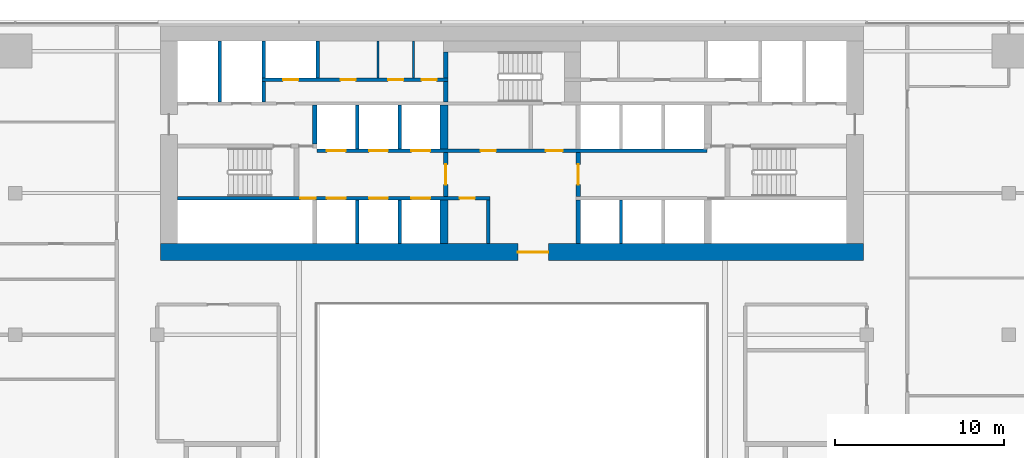
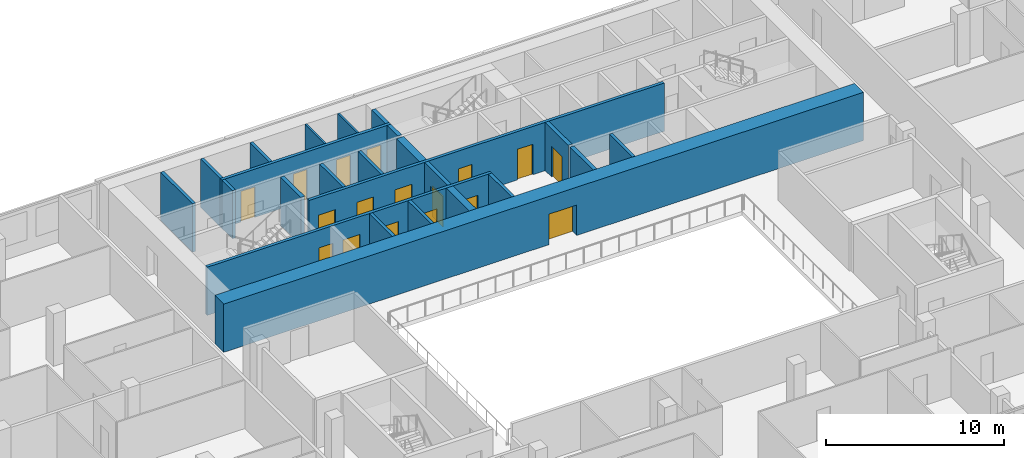
# One storey, part 21 of 29: 24 walls, 17 doors, 17 openings.
"""IFC4 building model written with IfcOpenShell, lengths in metres."""

from ifc_helpers import new_model, si_unit, direction, frame, frame_2d, origin, place, context, subcontext, project, spatial, rectangle, extrude, material, layer, layer_set, type_object, element, fill, save


model = new_model("IFC4")

# Units and contexts
model_context = context("Model", 3, precision=1e-05, world=origin(), true_north=direction((0.0, 1.0)))
body_context = subcontext(model_context, "Body", "Model", "MODEL_VIEW")
ifc_project = project(units=[si_unit("LENGTHUNIT", "METRE"), si_unit("AREAUNIT", "SQUARE_METRE"), si_unit("VOLUMEUNIT", "CUBIC_METRE"), si_unit("PLANEANGLEUNIT", "RADIAN"), si_unit("MASSUNIT", "GRAM", prefix="KILO")], contexts=[model_context])

# Site, building, storey
site_placement = place(None, origin())
site = spatial("IfcSite", under=ifc_project, at=site_placement, CompositionType="ELEMENT")
building_placement = place(site_placement, origin())
building = spatial("IfcBuilding", under=site, at=building_placement, Name="Saffron Gate Tower", CompositionType="ELEMENT")
storey_placement = place(building_placement, frame((0.0, 0.0, 113.25)))
storey = spatial("IfcBuildingStorey", under=building, at=storey_placement, Name="L26", CompositionType="ELEMENT", Elevation=113.25)

# Wall
ifc_material_1 = material(Name="Gypsum board partition on steel studs", Category="steel")
ifc_layer_1 = layer(ifc_material_1, 0.199951171875)
ifc_layer_set_1 = layer_set([ifc_layer_1], Name="CW10 Core partition 200")
wall_type_1 = type_object("IfcWallType", Name="CW10 Core partition 200", PredefinedType="PARTITIONING", material=ifc_layer_set_1)
wall_1_placement = place(storey_placement, frame((86.199951171875, 62.39990234375, 0.0), z_axis=(0.0, 0.0, 1.0), x_axis=(0.0, 1.0, 0.0)))
element("IfcWall", 1, at=wall_1_placement, inside=storey, type_object=wall_type_1, Name="Wall CW10-L26-9", PredefinedType="PARTITIONING", context=body_context, shape_type="SweptSolid", body=[
    extrude(rectangle(XDim=2.60009765625, YDim=0.199951171875, at=frame_2d((1.300048828125, 0.0))), origin(), (0.0, 0.0, 1.0), 3.320068359375),
])

# Wall, opening, door
ifc_material_2 = material(Name="Concrete C70", Category="concrete")
ifc_layer_2 = layer(ifc_material_2, 1.0)
ifc_layer_set_2 = layer_set([ifc_layer_2], Name="CW12 RC core wall 1000 C70")
wall_type_2 = type_object("IfcWallType", Name="CW12 RC core wall 1000 C70", PredefinedType="SOLIDWALL", material=ifc_layer_set_2)
wall_2_placement = place(storey_placement, frame((66.800048828125, 61.89990234375, 0.0), z_axis=(0.0, 0.0, 1.0), x_axis=(1.0, 0.0, 0.0)))
wall_2 = element("IfcWall", 2, at=wall_2_placement, inside=storey, type_object=wall_type_2, Name="Wall CW12-L26-1", PredefinedType="SOLIDWALL", context=body_context, shape_type="SweptSolid", body=[
    extrude(rectangle(XDim=41.599853515625, YDim=1.0, at=frame_2d((20.7998046875, 0.0))), origin(), (0.0, 0.0, 1.0), 3.320068359375),
])
opening_1_placement = place(wall_2_placement, frame((21.14990234375, 0.0, 0.0)))
opening_1 = element("IfcOpeningElement", 3, at=opening_1_placement, cuts=wall_2, Name="Opening CR-09", PredefinedType="OPENING", context=body_context, shape_type="SweptSolid", body=[
    extrude(rectangle(XDim=1.800048828125, YDim=2.10009765625, at=frame_2d((0.89990234375, 1.050048828125))), frame((0.0, 0.510009765625, 0.0), z_axis=(0.0, -1.0, 0.0), x_axis=(1.0, 0.0, 0.0)), (0.0, 0.0, 1.0), 1.02001953125),
])
ifc_material_3 = material(Name="Steel fire door set", Category="steel")
door_type_1 = type_object("IfcDoorType", Name="CD1 Core entrance door 1800x2100 EI 120", OperationType="NOTDEFINED", PredefinedType="DOOR", material=ifc_material_3)
door_1_placement = place(opening_1_placement, origin())
door_1 = element("IfcDoor", 4, at=door_1_placement, inside=storey, type_object=door_type_1, Name="DOOR CR-09", OperationType="DOUBLE_DOOR_SINGLE_SWING", OverallHeight=2.10009765625, OverallWidth=1.800048828125, PredefinedType="DOOR", context=body_context, shape_type="SweptSolid", body=[
    extrude(rectangle(XDim=1.800048828125, YDim=2.10009765625, at=frame_2d((0.89990234375, 1.050048828125))), frame((0.0, 0.02490234375, 0.0), z_axis=(0.0, -1.0, 0.0), x_axis=(1.0, 0.0, 0.0)), (0.0, 0.0, 1.0), 0.050048828125),
])
fill(opening_1, door_1)

# Wall
ifc_layer_3 = layer(ifc_material_2, 0.25)
ifc_layer_set_3 = layer_set([ifc_layer_3], Name="CW2 RC core wall 250 C70")
wall_type_3 = type_object("IfcWallType", Name="CW2 RC core wall 250 C70", PredefinedType="SOLIDWALL", material=ifc_layer_set_3)
wall_3_placement = place(storey_placement, frame((91.52490234375, 62.39990234375, 0.0), z_axis=(0.0, 0.0, 1.0), x_axis=(0.0, 1.0, 0.0)))
element("IfcWall", 5, at=wall_3_placement, inside=storey, type_object=wall_type_3, Name="Wall CW2-L26-10", PredefinedType="SOLIDWALL", context=body_context, shape_type="SweptSolid", body=[
    extrude(rectangle(XDim=2.60009765625, YDim=0.25, at=frame_2d((1.300048828125, 0.0))), origin(), (0.0, 0.0, 1.0), 3.320068359375),
])

# Wall, opening, door
wall_4_placement = place(storey_placement, frame((83.675048828125, 65.199951171875, 0.0), z_axis=(0.0, 0.0, 1.0), x_axis=(0.0, 1.0, 0.0)))
wall_4 = element("IfcWall", 6, at=wall_4_placement, inside=storey, type_object=wall_type_3, Name="Wall CW2-L26-17", PredefinedType="SOLIDWALL", context=body_context, shape_type="SweptSolid", body=[
    extrude(rectangle(XDim=2.60009765625, YDim=0.25, at=frame_2d((1.300048828125, 0.0))), origin(), (0.0, 0.0, 1.0), 3.320068359375),
])
opening_2_placement = place(wall_4_placement, frame((0.699951171875, 0.0, 0.0)))
opening_2 = element("IfcOpeningElement", 7, at=opening_2_placement, cuts=wall_4, Name="Opening CR-07", PredefinedType="OPENING", context=body_context, shape_type="SweptSolid", body=[
    extrude(rectangle(XDim=1.199951171875, YDim=2.10009765625, at=frame_2d((0.60009765625, 1.050048828125))), frame((0.0, 0.135009765625, 0.0), z_axis=(0.0, -1.0, 0.0), x_axis=(1.0, 0.0, 0.0)), (0.0, 0.0, 1.0), 0.27001953125),
])
door_type_2 = type_object("IfcDoorType", Name="CD3 Lobby door 1200x2100 EI 120", OperationType="NOTDEFINED", PredefinedType="DOOR", material=ifc_material_3)
door_2_placement = place(opening_2_placement, origin())
door_2 = element("IfcDoor", 8, at=door_2_placement, inside=storey, type_object=door_type_2, Name="DOOR CR-07", OperationType="SINGLE_SWING_RIGHT", OverallHeight=2.10009765625, OverallWidth=1.199951171875, PredefinedType="DOOR", context=body_context, shape_type="SweptSolid", body=[
    extrude(rectangle(XDim=1.199951171875, YDim=2.10009765625, at=frame_2d((0.60009765625, 1.050048828125))), frame((0.0, 0.02490234375, 0.0), z_axis=(0.0, -1.0, 0.0), x_axis=(1.0, 0.0, 0.0)), (0.0, 0.0, 1.0), 0.050048828125),
])
fill(opening_2, door_2)

wall_5_placement = place(storey_placement, frame((91.52490234375, 65.199951171875, 0.0), z_axis=(0.0, 0.0, 1.0), x_axis=(0.0, 1.0, 0.0)))
wall_5 = element("IfcWall", 9, at=wall_5_placement, inside=storey, type_object=wall_type_3, Name="Wall CW2-L26-18", PredefinedType="SOLIDWALL", context=body_context, shape_type="SweptSolid", body=[
    extrude(rectangle(XDim=2.60009765625, YDim=0.25, at=frame_2d((1.300048828125, 0.0))), origin(), (0.0, 0.0, 1.0), 3.320068359375),
])
opening_3_placement = place(wall_5_placement, frame((0.699951171875, 0.0, 0.0)))
opening_3 = element("IfcOpeningElement", 10, at=opening_3_placement, cuts=wall_5, Name="Opening CR-01", PredefinedType="OPENING", context=body_context, shape_type="SweptSolid", body=[
    extrude(rectangle(XDim=1.199951171875, YDim=2.10009765625, at=frame_2d((0.60009765625, 1.050048828125))), frame((0.0, 0.135009765625, 0.0), z_axis=(0.0, -1.0, 0.0), x_axis=(1.0, 0.0, 0.0)), (0.0, 0.0, 1.0), 0.27001953125),
])
door_3_placement = place(opening_3_placement, origin())
door_3 = element("IfcDoor", 11, at=door_3_placement, inside=storey, type_object=door_type_2, Name="DOOR CR-01", OperationType="SINGLE_SWING_RIGHT", OverallHeight=2.10009765625, OverallWidth=1.199951171875, PredefinedType="DOOR", context=body_context, shape_type="SweptSolid", body=[
    extrude(rectangle(XDim=1.199951171875, YDim=2.10009765625, at=frame_2d((0.60009765625, 1.050048828125))), frame((0.0, 0.02490234375, 0.0), z_axis=(0.0, -1.0, 0.0), x_axis=(1.0, 0.0, 0.0)), (0.0, 0.0, 1.0), 0.050048828125),
])
fill(opening_3, door_3)

# Walls
wall_6_placement = place(storey_placement, frame((75.925048828125, 68.300048828125, 0.0), z_axis=(0.0, 0.0, 1.0), x_axis=(0.0, 1.0, 0.0)))
element("IfcWall", 12, at=wall_6_placement, inside=storey, type_object=wall_type_3, Name="Wall CW2-L26-31", PredefinedType="SOLIDWALL", context=body_context, shape_type="SweptSolid", body=[
    extrude(rectangle(XDim=2.300048828125, YDim=0.25, at=frame_2d((1.14990234375, 0.0))), origin(), (0.0, 0.0, 1.0), 3.320068359375),
])
wall_7_placement = place(storey_placement, frame((83.675048828125, 70.800048828125, 0.0), z_axis=(0.0, 0.0, 1.0), x_axis=(0.0, 1.0, 0.0)))
element("IfcWall", 13, at=wall_7_placement, inside=storey, type_object=wall_type_3, Name="Wall CW2-L26-36", PredefinedType="SOLIDWALL", context=body_context, shape_type="SweptSolid", body=[
    extrude(rectangle(XDim=1.199951171875, YDim=0.25, at=frame_2d((0.60009765625, 0.0))), origin(), (0.0, 0.0, 1.0), 3.320068359375),
])
wall_8_placement = place(storey_placement, frame((83.675048828125, 72.199951171875, 0.0), z_axis=(0.0, 0.0, 1.0), x_axis=(0.0, 1.0, 0.0)))
element("IfcWall", 14, at=wall_8_placement, inside=storey, type_object=wall_type_3, Name="Wall CW2-L26-46", PredefinedType="SOLIDWALL", context=body_context, shape_type="SweptSolid", body=[
    extrude(rectangle(XDim=1.550048828125, YDim=0.25, at=frame_2d((0.77490234375, 0.0))), origin(), (0.0, 0.0, 1.0), 3.320068359375),
])
ifc_layer_4 = layer(ifc_material_2, 0.199951171875)
ifc_layer_set_4 = layer_set([ifc_layer_4], Name="CW3 RC core wall 200 C70")
wall_type_4 = type_object("IfcWallType", Name="CW3 RC core wall 200 C70", PredefinedType="SOLIDWALL", material=ifc_layer_set_4)
for number, where, z_axis, x_axis, name in (
    (15, (78.449951171875, 62.39990234375, 0.0), (0.0, 0.0, 1.0), (0.0, 1.0, 0.0), "Wall CW3-L26-6"),
    (16, (80.949951171875, 62.39990234375, 0.0), (0.0, 0.0, 1.0), (0.0, 1.0, 0.0), "Wall CW3-L26-7"),
    (17, (94.050048828125, 62.39990234375, 0.0), (0.0, 0.0, 1.0), (0.0, 1.0, 0.0), "Wall CW3-L26-11"),
):
    element("IfcWall", number, at=place(storey_placement, frame(where, z_axis=z_axis, x_axis=x_axis)), inside=storey, type_object=wall_type_4, Name=name, PredefinedType="SOLIDWALL", context=body_context, shape_type="SweptSolid", body=[
        extrude(rectangle(XDim=2.60009765625, YDim=0.199951171875, at=frame_2d((1.300048828125, 0.0))), origin(), (0.0, 0.0, 1.0), 3.320068359375),
    ])

# Wall, openings, doors
wall_9_placement = place(storey_placement, frame((67.800048828125, 65.10009765625, 0.0), z_axis=(0.0, 0.0, 1.0), x_axis=(1.0, 0.0, 0.0)))
wall_9 = element("IfcWall", 18, at=wall_9_placement, inside=storey, type_object=wall_type_4, Name="Wall CW3-L26-14", PredefinedType="SOLIDWALL", context=body_context, shape_type="SweptSolid", body=[
    extrude(rectangle(XDim=18.5, YDim=0.199951171875, at=frame_2d((9.25, 0.0))), origin(), (0.0, 0.0, 1.0), 3.320068359375),
])
opening_4_placement = place(wall_9_placement, frame((7.27001953125, 0.0, 0.0)))
opening_4 = element("IfcOpeningElement", 19, at=opening_4_placement, cuts=wall_9, Name="Opening CR-49", PredefinedType="OPENING", context=body_context, shape_type="SweptSolid", body=[
    extrude(rectangle(XDim=0.89990234375, YDim=2.10009765625, at=frame_2d((0.449951171875, 1.050048828125))), frame((0.0, 0.10986328125, 0.0), z_axis=(0.0, -1.0, 0.0), x_axis=(1.0, 0.0, 0.0)), (0.0, 0.0, 1.0), 0.219970703125),
])
opening_5_placement = place(wall_9_placement, frame((8.85009765625, 0.0, 0.0)))
opening_5 = element("IfcOpeningElement", 20, at=opening_5_placement, cuts=wall_9, Name="Opening LD-LR1", PredefinedType="OPENING", context=body_context, shape_type="SweptSolid", body=[
    extrude(rectangle(XDim=1.10009765625, YDim=2.10009765625, at=frame_2d((0.550048828125, 1.050048828125))), frame((0.0, 0.10986328125, 0.0), z_axis=(0.0, -1.0, 0.0), x_axis=(1.0, 0.0, 0.0)), (0.0, 0.0, 1.0), 0.219970703125),
])
opening_6_placement = place(wall_9_placement, frame((11.35009765625, 0.0, 0.0)))
opening_6 = element("IfcOpeningElement", 21, at=opening_6_placement, cuts=wall_9, Name="Opening LD-LR2", PredefinedType="OPENING", context=body_context, shape_type="SweptSolid", body=[
    extrude(rectangle(XDim=1.10009765625, YDim=2.10009765625, at=frame_2d((0.550048828125, 1.050048828125))), frame((0.0, 0.10986328125, 0.0), z_axis=(0.0, -1.0, 0.0), x_axis=(1.0, 0.0, 0.0)), (0.0, 0.0, 1.0), 0.219970703125),
])
opening_7_placement = place(wall_9_placement, frame((13.85009765625, 0.0, 0.0)))
opening_7 = element("IfcOpeningElement", 22, at=opening_7_placement, cuts=wall_9, Name="Opening LD-LR3", PredefinedType="OPENING", context=body_context, shape_type="SweptSolid", body=[
    extrude(rectangle(XDim=1.10009765625, YDim=2.10009765625, at=frame_2d((0.550048828125, 1.050048828125))), frame((0.0, 0.10986328125, 0.0), z_axis=(0.0, -1.0, 0.0), x_axis=(1.0, 0.0, 0.0)), (0.0, 0.0, 1.0), 0.219970703125),
])
opening_8_placement = place(wall_9_placement, frame((16.699951171875, 0.0, 0.0)))
opening_8 = element("IfcOpeningElement", 23, at=opening_8_placement, cuts=wall_9, Name="Opening CR-69", PredefinedType="OPENING", context=body_context, shape_type="SweptSolid", body=[
    extrude(rectangle(XDim=0.89990234375, YDim=2.10009765625, at=frame_2d((0.449951171875, 1.050048828125))), frame((0.0, 0.10986328125, 0.0), z_axis=(0.0, -1.0, 0.0), x_axis=(1.0, 0.0, 0.0)), (0.0, 0.0, 1.0), 0.219970703125),
])
door_type_3 = type_object("IfcDoorType", Name="CD2 Riser door 900x2100 EI 60", OperationType="NOTDEFINED", PredefinedType="DOOR", material=ifc_material_3)
door_4_placement = place(opening_4_placement, origin())
door_4 = element("IfcDoor", 24, at=door_4_placement, inside=storey, type_object=door_type_3, Name="DOOR CR-49", OperationType="SINGLE_SWING_LEFT", OverallHeight=2.10009765625, OverallWidth=0.89990234375, PredefinedType="DOOR", context=body_context, shape_type="SweptSolid", body=[
    extrude(rectangle(XDim=0.89990234375, YDim=2.10009765625, at=frame_2d((0.449951171875, 1.050048828125))), frame((0.0, 0.02490234375, 0.0), z_axis=(0.0, -1.0, 0.0), x_axis=(1.0, 0.0, 0.0)), (0.0, 0.0, 1.0), 0.050048828125),
])
fill(opening_4, door_4)
door_type_4 = type_object("IfcDoorType", Name="CD9 Room door 900x2100 EI 60", OperationType="NOTDEFINED", PredefinedType="DOOR", material=ifc_material_3)
door_5_placement = place(opening_8_placement, origin())
door_5 = element("IfcDoor", 25, at=door_5_placement, inside=storey, type_object=door_type_4, Name="DOOR CR-69", OperationType="SINGLE_SWING_RIGHT", OverallHeight=2.10009765625, OverallWidth=0.89990234375, PredefinedType="DOOR", context=body_context, shape_type="SweptSolid", body=[
    extrude(rectangle(XDim=0.89990234375, YDim=2.10009765625, at=frame_2d((0.449951171875, 1.050048828125))), frame((0.0, 0.02490234375, 0.0), z_axis=(0.0, -1.0, 0.0), x_axis=(1.0, 0.0, 0.0)), (0.0, 0.0, 1.0), 0.050048828125),
])
fill(opening_8, door_5)
ifc_material_4 = material(Name="Stainless steel landing door", Category="steel")
door_type_5 = type_object("IfcDoorType", Name="LD Lift landing door 1100x2100 EI 120", OperationType="SLIDING_TO_LEFT", PredefinedType="DOOR", material=ifc_material_4)
door_6_placement = place(opening_5_placement, origin())
door_6 = element("IfcDoor", 26, at=door_6_placement, inside=storey, type_object=door_type_5, Name="LANDING DOOR LD-LR1", OperationType="SLIDING_TO_LEFT", OverallHeight=2.10009765625, OverallWidth=1.10009765625, PredefinedType="DOOR", context=body_context, shape_type="SweptSolid", body=[
    extrude(rectangle(XDim=1.10009765625, YDim=2.10009765625, at=frame_2d((0.550048828125, 1.050048828125))), frame((0.0, 0.02490234375, 0.0), z_axis=(0.0, -1.0, 0.0), x_axis=(1.0, 0.0, 0.0)), (0.0, 0.0, 1.0), 0.050048828125),
])
fill(opening_5, door_6)
door_7_placement = place(opening_6_placement, origin())
door_7 = element("IfcDoor", 27, at=door_7_placement, inside=storey, type_object=door_type_5, Name="LANDING DOOR LD-LR2", OperationType="SLIDING_TO_LEFT", OverallHeight=2.10009765625, OverallWidth=1.10009765625, PredefinedType="DOOR", context=body_context, shape_type="SweptSolid", body=[
    extrude(rectangle(XDim=1.10009765625, YDim=2.10009765625, at=frame_2d((0.550048828125, 1.050048828125))), frame((0.0, 0.02490234375, 0.0), z_axis=(0.0, -1.0, 0.0), x_axis=(1.0, 0.0, 0.0)), (0.0, 0.0, 1.0), 0.050048828125),
])
fill(opening_6, door_7)
door_8_placement = place(opening_7_placement, origin())
door_8 = element("IfcDoor", 28, at=door_8_placement, inside=storey, type_object=door_type_5, Name="LANDING DOOR LD-LR3", OperationType="SLIDING_TO_LEFT", OverallHeight=2.10009765625, OverallWidth=1.10009765625, PredefinedType="DOOR", context=body_context, shape_type="SweptSolid", body=[
    extrude(rectangle(XDim=1.10009765625, YDim=2.10009765625, at=frame_2d((0.550048828125, 1.050048828125))), frame((0.0, 0.02490234375, 0.0), z_axis=(0.0, -1.0, 0.0), x_axis=(1.0, 0.0, 0.0)), (0.0, 0.0, 1.0), 0.050048828125),
])
fill(opening_7, door_8)

wall_10_placement = place(storey_placement, frame((76.050048828125, 67.89990234375, 0.0), z_axis=(0.0, 0.0, 1.0), x_axis=(1.0, 0.0, 0.0)))
wall_10 = element("IfcWall", 29, at=wall_10_placement, inside=storey, type_object=wall_type_4, Name="Wall CW3-L26-20", PredefinedType="SOLIDWALL", context=body_context, shape_type="SweptSolid", body=[
    extrude(rectangle(XDim=23.099853515625, YDim=0.199951171875, at=frame_2d((11.5498046875, 0.0))), origin(), (0.0, 0.0, 1.0), 3.320068359375),
])
opening_9_placement = place(wall_10_placement, frame((0.60009765625, 0.0, 0.0)))
opening_9 = element("IfcOpeningElement", 30, at=opening_9_placement, cuts=wall_10, Name="Opening LD-LR4", PredefinedType="OPENING", context=body_context, shape_type="SweptSolid", body=[
    extrude(rectangle(XDim=1.10009765625, YDim=2.10009765625, at=frame_2d((0.550048828125, 1.050048828125))), frame((0.0, 0.10986328125, 0.0), z_axis=(0.0, -1.0, 0.0), x_axis=(1.0, 0.0, 0.0)), (0.0, 0.0, 1.0), 0.219970703125),
])
opening_10_placement = place(wall_10_placement, frame((3.10009765625, 0.0, 0.0)))
opening_10 = element("IfcOpeningElement", 31, at=opening_10_placement, cuts=wall_10, Name="Opening LD-LR5", PredefinedType="OPENING", context=body_context, shape_type="SweptSolid", body=[
    extrude(rectangle(XDim=1.10009765625, YDim=2.10009765625, at=frame_2d((0.550048828125, 1.050048828125))), frame((0.0, 0.10986328125, 0.0), z_axis=(0.0, -1.0, 0.0), x_axis=(1.0, 0.0, 0.0)), (0.0, 0.0, 1.0), 0.219970703125),
])
opening_11_placement = place(wall_10_placement, frame((5.60009765625, 0.0, 0.0)))
opening_11 = element("IfcOpeningElement", 32, at=opening_11_placement, cuts=wall_10, Name="Opening LD-LR6", PredefinedType="OPENING", context=body_context, shape_type="SweptSolid", body=[
    extrude(rectangle(XDim=1.10009765625, YDim=2.10009765625, at=frame_2d((0.550048828125, 1.050048828125))), frame((0.0, 0.10986328125, 0.0), z_axis=(0.0, -1.0, 0.0), x_axis=(1.0, 0.0, 0.0)), (0.0, 0.0, 1.0), 0.219970703125),
])
opening_12_placement = place(wall_10_placement, frame((9.699951171875, 0.0, 0.0)))
opening_12 = element("IfcOpeningElement", 33, at=opening_12_placement, cuts=wall_10, Name="Opening CR-67", PredefinedType="OPENING", context=body_context, shape_type="SweptSolid", body=[
    extrude(rectangle(XDim=0.89990234375, YDim=2.10009765625, at=frame_2d((0.449951171875, 1.050048828125))), frame((0.0, 0.10986328125, 0.0), z_axis=(0.0, -1.0, 0.0), x_axis=(1.0, 0.0, 0.0)), (0.0, 0.0, 1.0), 0.219970703125),
])
opening_13_placement = place(wall_10_placement, frame((13.550048828125, 0.0, 0.0)))
opening_13 = element("IfcOpeningElement", 34, at=opening_13_placement, cuts=wall_10, Name="Opening CR-02", PredefinedType="OPENING", context=body_context, shape_type="SweptSolid", body=[
    extrude(rectangle(XDim=1.0, YDim=2.10009765625, at=frame_2d((0.5, 1.050048828125))), frame((0.0, 0.10986328125, 0.0), z_axis=(0.0, -1.0, 0.0), x_axis=(1.0, 0.0, 0.0)), (0.0, 0.0, 1.0), 0.219970703125),
])
door_type_6 = type_object("IfcDoorType", Name="CD4 Lobby door 1000x2100 EI 120", OperationType="NOTDEFINED", PredefinedType="DOOR", material=ifc_material_3)
door_9_placement = place(opening_13_placement, origin())
door_9 = element("IfcDoor", 35, at=door_9_placement, inside=storey, type_object=door_type_6, Name="DOOR CR-02", OperationType="SINGLE_SWING_LEFT", OverallHeight=2.10009765625, OverallWidth=1.0, PredefinedType="DOOR", context=body_context, shape_type="SweptSolid", body=[
    extrude(rectangle(XDim=1.0, YDim=2.10009765625, at=frame_2d((0.5, 1.050048828125))), frame((0.0, 0.02490234375, 0.0), z_axis=(0.0, -1.0, 0.0), x_axis=(1.0, 0.0, 0.0)), (0.0, 0.0, 1.0), 0.050048828125),
])
fill(opening_13, door_9)
door_10_placement = place(opening_12_placement, origin())
door_10 = element("IfcDoor", 36, at=door_10_placement, inside=storey, type_object=door_type_4, Name="DOOR CR-67", OperationType="SINGLE_SWING_LEFT", OverallHeight=2.10009765625, OverallWidth=0.89990234375, PredefinedType="DOOR", context=body_context, shape_type="SweptSolid", body=[
    extrude(rectangle(XDim=0.89990234375, YDim=2.10009765625, at=frame_2d((0.449951171875, 1.050048828125))), frame((0.0, 0.02490234375, 0.0), z_axis=(0.0, -1.0, 0.0), x_axis=(1.0, 0.0, 0.0)), (0.0, 0.0, 1.0), 0.050048828125),
])
fill(opening_12, door_10)
door_11_placement = place(opening_9_placement, origin())
door_11 = element("IfcDoor", 37, at=door_11_placement, inside=storey, type_object=door_type_5, Name="LANDING DOOR LD-LR4", OperationType="SLIDING_TO_RIGHT", OverallHeight=2.10009765625, OverallWidth=1.10009765625, PredefinedType="DOOR", context=body_context, shape_type="SweptSolid", body=[
    extrude(rectangle(XDim=1.10009765625, YDim=2.10009765625, at=frame_2d((0.550048828125, 1.050048828125))), frame((0.0, 0.02490234375, 0.0), z_axis=(0.0, -1.0, 0.0), x_axis=(1.0, 0.0, 0.0)), (0.0, 0.0, 1.0), 0.050048828125),
])
fill(opening_9, door_11)
door_12_placement = place(opening_10_placement, origin())
door_12 = element("IfcDoor", 38, at=door_12_placement, inside=storey, type_object=door_type_5, Name="LANDING DOOR LD-LR5", OperationType="SLIDING_TO_RIGHT", OverallHeight=2.10009765625, OverallWidth=1.10009765625, PredefinedType="DOOR", context=body_context, shape_type="SweptSolid", body=[
    extrude(rectangle(XDim=1.10009765625, YDim=2.10009765625, at=frame_2d((0.550048828125, 1.050048828125))), frame((0.0, 0.02490234375, 0.0), z_axis=(0.0, -1.0, 0.0), x_axis=(1.0, 0.0, 0.0)), (0.0, 0.0, 1.0), 0.050048828125),
])
fill(opening_10, door_12)
door_13_placement = place(opening_11_placement, origin())
door_13 = element("IfcDoor", 39, at=door_13_placement, inside=storey, type_object=door_type_5, Name="LANDING DOOR LD-LR6", OperationType="SLIDING_TO_RIGHT", OverallHeight=2.10009765625, OverallWidth=1.10009765625, PredefinedType="DOOR", context=body_context, shape_type="SweptSolid", body=[
    extrude(rectangle(XDim=1.10009765625, YDim=2.10009765625, at=frame_2d((0.550048828125, 1.050048828125))), frame((0.0, 0.02490234375, 0.0), z_axis=(0.0, -1.0, 0.0), x_axis=(1.0, 0.0, 0.0)), (0.0, 0.0, 1.0), 0.050048828125),
])
fill(opening_11, door_13)

# Walls
for number, where, z_axis, x_axis, name in (
    (40, (78.449951171875, 68.0, 0.0), (0.0, 0.0, 1.0), (0.0, 1.0, 0.0), "Wall CW3-L26-21"),
    (41, (80.949951171875, 68.0, 0.0), (0.0, 0.0, 1.0), (0.0, 1.0, 0.0), "Wall CW3-L26-22"),
):
    element("IfcWall", number, at=place(storey_placement, frame(where, z_axis=z_axis, x_axis=x_axis)), inside=storey, type_object=wall_type_4, Name=name, PredefinedType="SOLIDWALL", context=body_context, shape_type="SweptSolid", body=[
        extrude(rectangle(XDim=2.60009765625, YDim=0.199951171875, at=frame_2d((1.300048828125, 0.0))), origin(), (0.0, 0.0, 1.0), 3.320068359375),
    ])
wall_11_placement = place(storey_placement, frame((70.300048828125, 70.800048828125, 0.0), z_axis=(0.0, 0.0, 1.0), x_axis=(0.0, 1.0, 0.0)))
element("IfcWall", 42, at=wall_11_placement, inside=storey, type_object=wall_type_4, Name="Wall CW3-L26-34", PredefinedType="SOLIDWALL", context=body_context, shape_type="SweptSolid", body=[
    extrude(rectangle(XDim=3.599853515625, YDim=0.199951171875, at=frame_2d((1.7998046875, 0.0))), origin(), (0.0, 0.0, 1.0), 3.320068359375),
])
wall_12_placement = place(storey_placement, frame((72.89990234375, 70.800048828125, 0.0), z_axis=(0.0, 0.0, 1.0), x_axis=(0.0, 1.0, 0.0)))
element("IfcWall", 43, at=wall_12_placement, inside=storey, type_object=wall_type_4, Name="Wall CW3-L26-35", PredefinedType="SOLIDWALL", context=body_context, shape_type="SweptSolid", body=[
    extrude(rectangle(XDim=1.199951171875, YDim=0.199951171875, at=frame_2d((0.60009765625, 0.0))), origin(), (0.0, 0.0, 1.0), 3.320068359375),
])

# Wall, openings, doors
wall_13_placement = place(storey_placement, frame((72.800048828125, 72.10009765625, 0.0), z_axis=(0.0, 0.0, 1.0), x_axis=(1.0, 0.0, 0.0)))
wall_13 = element("IfcWall", 44, at=wall_13_placement, inside=storey, type_object=wall_type_4, Name="Wall CW3-L26-40", PredefinedType="SOLIDWALL", context=body_context, shape_type="SweptSolid", body=[
    extrude(rectangle(XDim=11.0, YDim=0.199951171875, at=frame_2d((5.5, 0.0))), origin(), (0.0, 0.0, 1.0), 3.320068359375),
])
opening_14_placement = place(wall_13_placement, frame((1.25, 0.0, 0.0)))
opening_14 = element("IfcOpeningElement", 45, at=opening_14_placement, cuts=wall_13, Name="Opening CR-71", PredefinedType="OPENING", context=body_context, shape_type="SweptSolid", body=[
    extrude(rectangle(XDim=0.89990234375, YDim=2.10009765625, at=frame_2d((0.449951171875, 1.050048828125))), frame((0.0, 0.10986328125, 0.0), z_axis=(0.0, -1.0, 0.0), x_axis=(1.0, 0.0, 0.0)), (0.0, 0.0, 1.0), 0.219970703125),
])
opening_15_placement = place(wall_13_placement, frame((4.64990234375, 0.0, 0.0)))
opening_15 = element("IfcOpeningElement", 46, at=opening_15_placement, cuts=wall_13, Name="Opening CR-55", PredefinedType="OPENING", context=body_context, shape_type="SweptSolid", body=[
    extrude(rectangle(XDim=0.89990234375, YDim=2.10009765625, at=frame_2d((0.449951171875, 1.050048828125))), frame((0.0, 0.10986328125, 0.0), z_axis=(0.0, -1.0, 0.0), x_axis=(1.0, 0.0, 0.0)), (0.0, 0.0, 1.0), 0.219970703125),
])
opening_16_placement = place(wall_13_placement, frame((7.469970703125, 0.0, 0.0)))
opening_16 = element("IfcOpeningElement", 47, at=opening_16_placement, cuts=wall_13, Name="Opening CR-58", PredefinedType="OPENING", context=body_context, shape_type="SweptSolid", body=[
    extrude(rectangle(XDim=0.89990234375, YDim=2.10009765625, at=frame_2d((0.449951171875, 1.050048828125))), frame((0.0, 0.10986328125, 0.0), z_axis=(0.0, -1.0, 0.0), x_axis=(1.0, 0.0, 0.0)), (0.0, 0.0, 1.0), 0.219970703125),
])
opening_17_placement = place(wall_13_placement, frame((9.445068359375, 0.0, 0.0)))
opening_17 = element("IfcOpeningElement", 48, at=opening_17_placement, cuts=wall_13, Name="Opening CR-59", PredefinedType="OPENING", context=body_context, shape_type="SweptSolid", body=[
    extrude(rectangle(XDim=0.89990234375, YDim=2.10009765625, at=frame_2d((0.449951171875, 1.050048828125))), frame((0.0, 0.10986328125, 0.0), z_axis=(0.0, -1.0, 0.0), x_axis=(1.0, 0.0, 0.0)), (0.0, 0.0, 1.0), 0.219970703125),
])
door_14_placement = place(opening_14_placement, origin())
door_14 = element("IfcDoor", 49, at=door_14_placement, inside=storey, type_object=door_type_3, Name="DOOR CR-71", OperationType="SINGLE_SWING_LEFT", OverallHeight=2.10009765625, OverallWidth=0.89990234375, PredefinedType="DOOR", context=body_context, shape_type="SweptSolid", body=[
    extrude(rectangle(XDim=0.89990234375, YDim=2.10009765625, at=frame_2d((0.449951171875, 1.050048828125))), frame((0.0, 0.02490234375, 0.0), z_axis=(0.0, -1.0, 0.0), x_axis=(1.0, 0.0, 0.0)), (0.0, 0.0, 1.0), 0.050048828125),
])
fill(opening_14, door_14)
door_15_placement = place(opening_15_placement, origin())
door_15 = element("IfcDoor", 50, at=door_15_placement, inside=storey, type_object=door_type_4, Name="DOOR CR-55", OperationType="SINGLE_SWING_LEFT", OverallHeight=2.10009765625, OverallWidth=0.89990234375, PredefinedType="DOOR", context=body_context, shape_type="SweptSolid", body=[
    extrude(rectangle(XDim=0.89990234375, YDim=2.10009765625, at=frame_2d((0.449951171875, 1.050048828125))), frame((0.0, 0.02490234375, 0.0), z_axis=(0.0, -1.0, 0.0), x_axis=(1.0, 0.0, 0.0)), (0.0, 0.0, 1.0), 0.050048828125),
])
fill(opening_15, door_15)
door_16_placement = place(opening_16_placement, origin())
door_16 = element("IfcDoor", 51, at=door_16_placement, inside=storey, type_object=door_type_4, Name="DOOR CR-58", OperationType="SINGLE_SWING_LEFT", OverallHeight=2.10009765625, OverallWidth=0.89990234375, PredefinedType="DOOR", context=body_context, shape_type="SweptSolid", body=[
    extrude(rectangle(XDim=0.89990234375, YDim=2.10009765625, at=frame_2d((0.449951171875, 1.050048828125))), frame((0.0, 0.02490234375, 0.0), z_axis=(0.0, -1.0, 0.0), x_axis=(1.0, 0.0, 0.0)), (0.0, 0.0, 1.0), 0.050048828125),
])
fill(opening_16, door_16)
door_17_placement = place(opening_17_placement, origin())
door_17 = element("IfcDoor", 52, at=door_17_placement, inside=storey, type_object=door_type_4, Name="DOOR CR-59", OperationType="SINGLE_SWING_LEFT", OverallHeight=2.10009765625, OverallWidth=0.89990234375, PredefinedType="DOOR", context=body_context, shape_type="SweptSolid", body=[
    extrude(rectangle(XDim=0.89990234375, YDim=2.10009765625, at=frame_2d((0.449951171875, 1.050048828125))), frame((0.0, 0.02490234375, 0.0), z_axis=(0.0, -1.0, 0.0), x_axis=(1.0, 0.0, 0.0)), (0.0, 0.0, 1.0), 0.050048828125),
])
fill(opening_17, door_17)

# Walls
for number, where, z_axis, x_axis, name in (
    (53, (72.89990234375, 72.199951171875, 0.0), (0.0, 0.0, 1.0), (0.0, 1.0, 0.0), "Wall CW3-L26-42"),
    (54, (76.10009765625, 72.199951171875, 0.0), (0.0, 0.0, 1.0), (0.0, 1.0, 0.0), "Wall CW3-L26-43"),
):
    element("IfcWall", number, at=place(storey_placement, frame(where, z_axis=z_axis, x_axis=x_axis)), inside=storey, type_object=wall_type_4, Name=name, PredefinedType="SOLIDWALL", context=body_context, shape_type="SweptSolid", body=[
        extrude(rectangle(XDim=2.199951171875, YDim=0.199951171875, at=frame_2d((1.10009765625, 0.0))), origin(), (0.0, 0.0, 1.0), 3.320068359375),
    ])
ifc_layer_5 = layer(ifc_material_2, 0.449951171875)
ifc_layer_set_5 = layer_set([ifc_layer_5], Name="CW4 RC core wall 450 C70")
wall_type_5 = type_object("IfcWallType", Name="CW4 RC core wall 450 C70", PredefinedType="SOLIDWALL", material=ifc_layer_set_5)
for number, where, z_axis, x_axis, name in (
    (55, (83.574951171875, 62.39990234375, 0.0), (0.0, 0.0, 1.0), (0.0, 1.0, 0.0), "Wall CW4-L26-8"),
    (56, (83.574951171875, 68.0, 0.0), (0.0, 0.0, 1.0), (0.0, 1.0, 0.0), "Wall CW4-L26-23"),
):
    element("IfcWall", number, at=place(storey_placement, frame(where, z_axis=z_axis, x_axis=x_axis)), inside=storey, type_object=wall_type_5, Name=name, PredefinedType="SOLIDWALL", context=body_context, shape_type="SweptSolid", body=[
        extrude(rectangle(XDim=2.60009765625, YDim=0.449951171875, at=frame_2d((1.300048828125, 0.0))), origin(), (0.0, 0.0, 1.0), 3.320068359375),
    ])
ifc_layer_6 = layer(ifc_material_1, 0.1201171875)
ifc_layer_set_6 = layer_set([ifc_layer_6], Name="CW8 Core partition 120")
wall_type_6 = type_object("IfcWallType", Name="CW8 Core partition 120", PredefinedType="PARTITIONING", material=ifc_layer_set_6)
for number, where, z_axis, x_axis, name in (
    (57, (79.659912109375, 72.199951171875, 0.0), (0.0, 0.0, 1.0), (0.0, 1.0, 0.0), "Wall CW8-L26-44"),
    (58, (81.780029296875, 72.199951171875, 0.0), (0.0, 0.0, 1.0), (0.0, 1.0, 0.0), "Wall CW8-L26-45"),
):
    element("IfcWall", number, at=place(storey_placement, frame(where, z_axis=z_axis, x_axis=x_axis)), inside=storey, type_object=wall_type_6, Name=name, PredefinedType="PARTITIONING", context=body_context, shape_type="SweptSolid", body=[
        extrude(rectangle(XDim=2.199951171875, YDim=0.1201171875, at=frame_2d((1.10009765625, 0.0))), origin(), (0.0, 0.0, 1.0), 3.320068359375),
    ])

save(model, "model.ifc")
